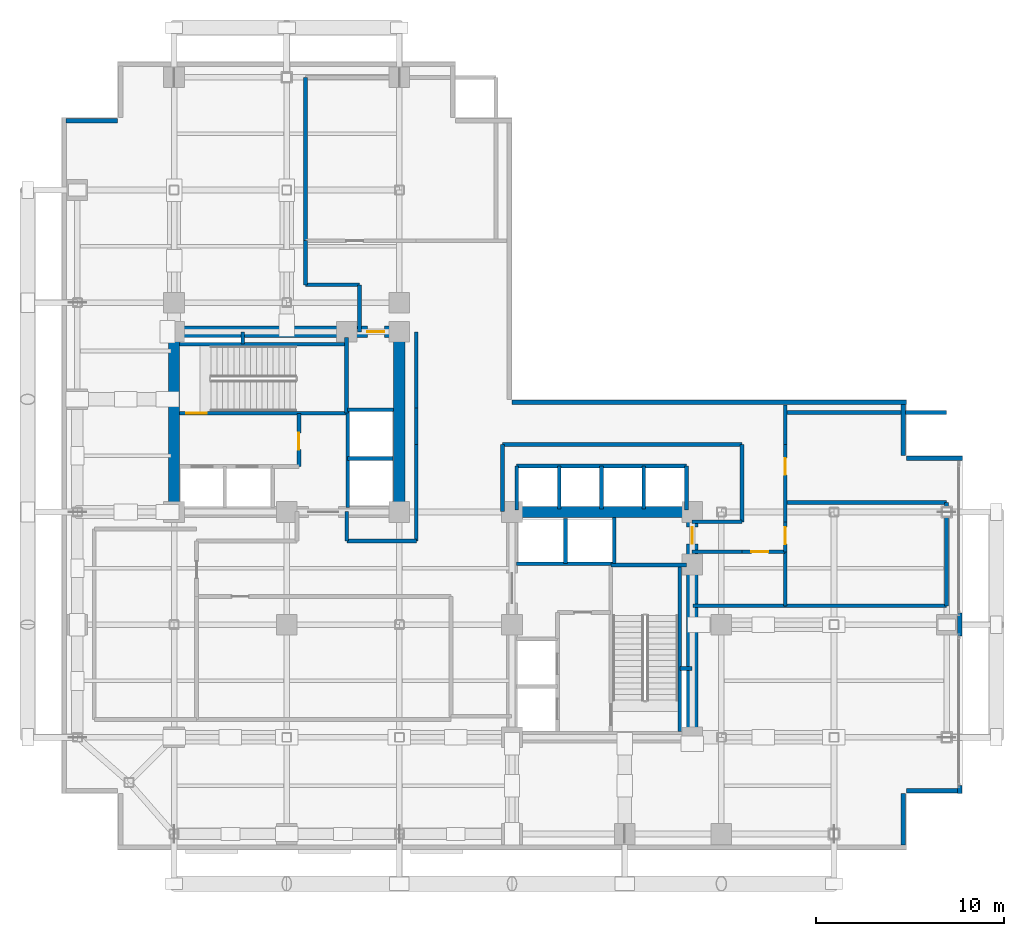
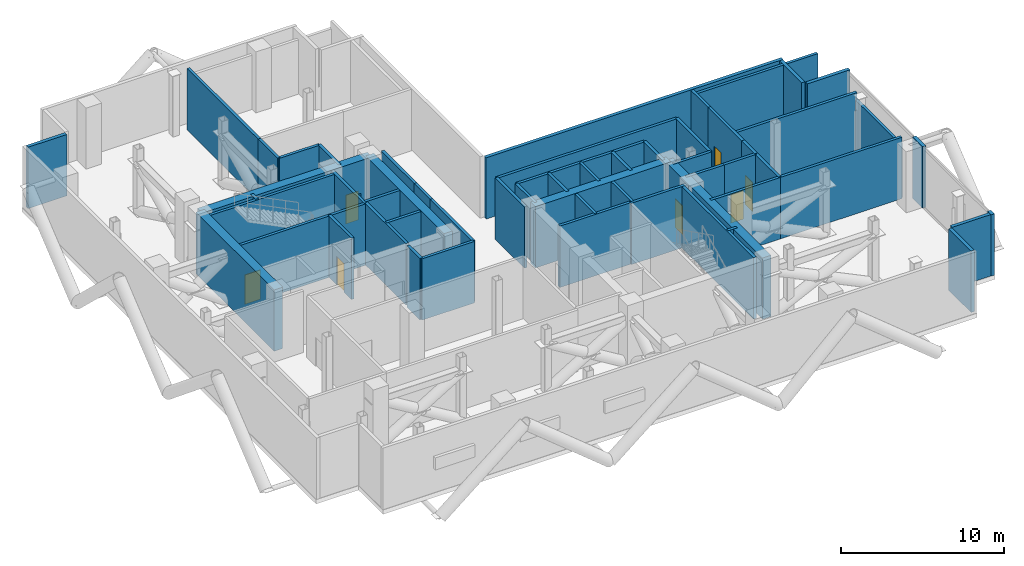
# One storey, part 7 of 9: 57 walls, 7 doors, 7 openings.
"""IFC4 building model written with IfcOpenShell, lengths in metres."""

from ifc_helpers import new_model, si_unit, direction, frame, frame_2d, origin, place, context, subcontext, project, spatial, rectangle, extrude, material, layer, layer_set, type_object, element, fill, save


model = new_model("IFC4")

# Units and contexts
model_context = context("Model", 3, precision=1e-05, world=origin(), true_north=direction((0.0, 1.0)))
body_context = subcontext(model_context, "Body", "Model", "MODEL_VIEW")
ifc_project = project(units=[si_unit("LENGTHUNIT", "METRE"), si_unit("AREAUNIT", "SQUARE_METRE"), si_unit("VOLUMEUNIT", "CUBIC_METRE"), si_unit("PLANEANGLEUNIT", "RADIAN"), si_unit("MASSUNIT", "GRAM", prefix="KILO"), si_unit("THERMODYNAMICTEMPERATUREUNIT", "KELVIN"), si_unit("POWERUNIT", "WATT")], contexts=[model_context])

# Site, building, storey
site_placement = place(None, origin())
site = spatial("IfcSite", under=ifc_project, at=site_placement, CompositionType="ELEMENT")
building_placement = place(site_placement, origin())
building = spatial("IfcBuilding", under=site, at=building_placement, Name="Svarakhadi Broadcast Tower", CompositionType="ELEMENT")
storey_placement = place(building_placement, frame((0.0, 0.0, 164.39990234375)))
storey = spatial("IfcBuildingStorey", under=building, at=storey_placement, Name="L40", CompositionType="ELEMENT", Elevation=164.39990234375)

# Walls
ifc_material_1 = material(Name="Concrete C40/50 (IS 456 M50)", Category="concrete")
ifc_layer_1 = layer(ifc_material_1, 0.239990234375)
ifc_layer_set_1 = layer_set([ifc_layer_1], Name="Concrete C40/50 (IS 456 M50)")
wall_type_1 = type_object("IfcWallType", Name="Wall_Ext_240", PredefinedType="SOLIDWALL", material=ifc_layer_set_1)
wall_1_placement = place(storey_placement, frame((0.2548828125, 38.85009765625, 0.0), z_axis=(0.0, 0.0, 1.0), x_axis=(1.0, 0.0, 0.0)))
element("IfcWall", 1, at=wall_1_placement, inside=storey, type_object=wall_type_1, Name="L40 Perimeter Bronze Spandrel Closure Wall 02", PredefinedType="SOLIDWALL", context=body_context, shape_type="SweptSolid", body=[
    extrude(rectangle(XDim=2.7451171875, YDim=0.239990234375, at=frame_2d((1.37255859375, 0.0))), origin(), (0.0, 0.0, 1.0), 4.590087890625),
])
wall_2_placement = place(storey_placement, frame((24.0, 23.85009765625, 0.0), z_axis=(0.0, 0.0, 1.0), x_axis=(1.0, 0.0, 0.0)))
element("IfcWall", 2, at=wall_2_placement, inside=storey, type_object=wall_type_1, Name="L40 Perimeter Bronze Spandrel Closure Wall 07", PredefinedType="SOLIDWALL", context=body_context, shape_type="SweptSolid", body=[
    extrude(rectangle(XDim=21.0, YDim=0.239990234375, at=frame_2d((10.5, 0.0))), origin(), (0.0, 0.0, 1.0), 4.590087890625),
])
wall_3_placement = place(storey_placement, frame((44.85009765625, 23.72509765625, 0.0), z_axis=(0.0, 0.0, 1.0), x_axis=(0.0, -1.0, 0.0)))
element("IfcWall", 3, at=wall_3_placement, inside=storey, type_object=wall_type_1, Name="L40 Perimeter Bronze Spandrel Closure Wall 08", PredefinedType="SOLIDWALL", context=body_context, shape_type="SweptSolid", body=[
    extrude(rectangle(XDim=2.72509765625, YDim=0.239990234375, at=frame_2d((1.362548828125, 0.0))), origin(), (0.0, 0.0, 1.0), 4.590087890625),
])
wall_4_placement = place(storey_placement, frame((45.0, 20.85009765625, 0.0), z_axis=(0.0, 0.0, 1.0), x_axis=(1.0, 0.0, 0.0)))
element("IfcWall", 4, at=wall_4_placement, inside=storey, type_object=wall_type_1, Name="L40 Perimeter Bronze Spandrel Closure Wall 09", PredefinedType="SOLIDWALL", context=body_context, shape_type="SweptSolid", body=[
    extrude(rectangle(XDim=3.0, YDim=0.239990234375, at=frame_2d((1.5, 0.0))), origin(), (0.0, 0.0, 1.0), 4.590087890625),
])
wall_5_placement = place(storey_placement, frame((47.85009765625, 12.614990234375, 0.0), z_axis=(0.0, 0.0, 1.0), x_axis=(0.0, -1.0, 0.0)))
element("IfcWall", 5, at=wall_5_placement, inside=storey, type_object=wall_type_1, Name="L40 Perimeter Bronze Spandrel Closure Wall 10", PredefinedType="SOLIDWALL", context=body_context, shape_type="SweptSolid", body=[
    extrude(rectangle(XDim=1.22998046875, YDim=0.239990234375, at=frame_2d((0.614990234375, 0.0))), origin(), (0.0, 0.0, 1.0), 4.590087890625),
])
wall_6_placement = place(storey_placement, frame((47.85009765625, 3.43505859375, 0.0), z_axis=(0.0, 0.0, 1.0), x_axis=(0.0, -1.0, 0.0)))
element("IfcWall", 6, at=wall_6_placement, inside=storey, type_object=wall_type_1, Name="L40 Perimeter Bronze Spandrel Closure Wall 11", PredefinedType="SOLIDWALL", context=body_context, shape_type="SweptSolid", body=[
    extrude(rectangle(XDim=0.43505859375, YDim=0.239990234375, at=frame_2d((0.217529296875, 0.0))), origin(), (0.0, 0.0, 1.0), 4.590087890625),
])
wall_7_placement = place(storey_placement, frame((47.72509765625, 3.14990234375, 0.0), z_axis=(0.0, 0.0, 1.0), x_axis=(-1.0, 0.0, 0.0)))
element("IfcWall", 7, at=wall_7_placement, inside=storey, type_object=wall_type_1, Name="L40 Perimeter Bronze Spandrel Closure Wall 12", PredefinedType="SOLIDWALL", context=body_context, shape_type="SweptSolid", body=[
    extrude(rectangle(XDim=2.72509765625, YDim=0.239990234375, at=frame_2d((1.362548828125, 0.0))), origin(), (0.0, 0.0, 1.0), 4.590087890625),
])
wall_8_placement = place(storey_placement, frame((44.85009765625, 3.0, 0.0), z_axis=(0.0, 0.0, 1.0), x_axis=(0.0, -1.0, 0.0)))
element("IfcWall", 8, at=wall_8_placement, inside=storey, type_object=wall_type_1, Name="L40 Perimeter Bronze Spandrel Closure Wall 13", PredefinedType="SOLIDWALL", context=body_context, shape_type="SweptSolid", body=[
    extrude(rectangle(XDim=2.7451171875, YDim=0.239990234375, at=frame_2d((1.37255859375, 0.0))), origin(), (0.0, 0.0, 1.0), 4.590087890625),
])
ifc_layer_2 = layer(ifc_material_1, 0.199951171875)
ifc_layer_set_2 = layer_set([ifc_layer_2], Name="Concrete C40/50 (IS 456 M50)")
wall_type_2 = type_object("IfcWallType", Name="Wall_Fire_200", PredefinedType="SOLIDWALL", material=ifc_layer_set_2)
for number, where, z_axis, x_axis, name in (
    (9, (9.659912109375, 26.93994140625, 0.0), (0.0, 0.0, 1.0), (0.0, 1.0, 0.0), "L40 Wet Riser Shaft East Wall"),
    (10, (32.93994140625, 9.659912109375, 0.0), (0.0, 0.0, 1.0), (1.0, 0.0, 0.0), "L40 HV Busduct Riser Shaft North Wall"),
):
    element("IfcWall", number, at=place(storey_placement, frame(where, z_axis=z_axis, x_axis=x_axis)), inside=storey, type_object=wall_type_2, Name=name, PredefinedType="SOLIDWALL", context=body_context, shape_type="SweptSolid", body=[
        extrude(rectangle(XDim=0.64013671875, YDim=0.199951171875, at=frame_2d((0.320068359375, 0.0))), origin(), (0.0, 0.0, 1.0), 4.590087890625),
    ])
wall_9_placement = place(storey_placement, frame((15.199951171875, 18.02001953125, 0.0), z_axis=(0.0, 0.0, 1.0), x_axis=(0.0, -1.0, 0.0)))
element("IfcWall", 11, at=wall_9_placement, inside=storey, type_object=wall_type_2, Name="L40 Plant Service Corridor Wall", PredefinedType="SOLIDWALL", context=body_context, shape_type="SweptSolid", body=[
    extrude(rectangle(XDim=1.570068359375, YDim=0.199951171875, at=frame_2d((0.78515625, 0.0))), origin(), (0.0, 0.0, 1.0), 4.590087890625),
])
wall_10_placement = place(storey_placement, frame((15.199951171875, 16.449951171875, 0.0), z_axis=(0.0, 0.0, 1.0), x_axis=(1.0, 0.0, 0.0)))
element("IfcWall", 12, at=wall_10_placement, inside=storey, type_object=wall_type_2, Name="L40 Plant Service Corridor Wall", PredefinedType="SOLIDWALL", context=body_context, shape_type="SweptSolid", body=[
    extrude(rectangle(XDim=3.699951171875, YDim=0.199951171875, at=frame_2d((1.85009765625, 0.0))), origin(), (0.0, 0.0, 1.0), 4.590087890625),
])
wall_11_placement = place(storey_placement, frame((18.89990234375, 16.449951171875, 0.0), z_axis=(0.0, 0.0, 1.0), x_axis=(0.0, 1.0, 0.0)))
element("IfcWall", 13, at=wall_11_placement, inside=storey, type_object=wall_type_2, Name="L40 Plant Service Corridor Wall", PredefinedType="SOLIDWALL", context=body_context, shape_type="SweptSolid", body=[
    extrude(rectangle(XDim=5.150146484375, YDim=0.199951171875, at=frame_2d((2.5751953125, 0.0))), origin(), (0.0, 0.0, 1.0), 4.590087890625),
])
wall_12_placement = place(storey_placement, frame((18.89990234375, 21.60009765625, 0.0), z_axis=(0.0, 0.0, 1.0), x_axis=(0.0, 1.0, 0.0)))
element("IfcWall", 14, at=wall_12_placement, inside=storey, type_object=wall_type_2, Name="L40 Plant Service Corridor Wall", PredefinedType="SOLIDWALL", context=body_context, shape_type="SweptSolid", body=[
    extrude(rectangle(XDim=1.949951171875, YDim=0.199951171875, at=frame_2d((0.97509765625, 0.0))), origin(), (0.0, 0.0, 1.0), 4.590087890625),
])
wall_13_placement = place(storey_placement, frame((18.89990234375, 23.550048828125, 0.0), z_axis=(0.0, 0.0, 1.0), x_axis=(0.0, 1.0, 0.0)))
element("IfcWall", 15, at=wall_13_placement, inside=storey, type_object=wall_type_2, Name="L40 Plant Service Corridor Wall", PredefinedType="SOLIDWALL", context=body_context, shape_type="SweptSolid", body=[
    extrude(rectangle(XDim=4.030029296875, YDim=0.199951171875, at=frame_2d((2.01513671875, 0.0))), origin(), (0.0, 0.0, 1.0), 4.590087890625),
])
wall_14_placement = place(storey_placement, frame((15.8798828125, 27.580078125, 0.0), z_axis=(0.0, 0.0, 1.0), x_axis=(0.0, 1.0, 0.0)))
element("IfcWall", 16, at=wall_14_placement, inside=storey, type_object=wall_type_2, Name="L40 Plant Service Corridor Wall", PredefinedType="SOLIDWALL", context=body_context, shape_type="SweptSolid", body=[
    extrude(rectangle(XDim=2.52001953125, YDim=0.199951171875, at=frame_2d((1.260009765625, 0.0))), origin(), (0.0, 0.0, 1.0), 4.590087890625),
])
wall_15_placement = place(storey_placement, frame((15.8798828125, 30.10009765625, 0.0), z_axis=(0.0, 0.0, 1.0), x_axis=(-1.0, 0.0, 0.0)))
element("IfcWall", 17, at=wall_15_placement, inside=storey, type_object=wall_type_2, Name="L40 Plant Service Corridor Wall", PredefinedType="SOLIDWALL", context=body_context, shape_type="SweptSolid", body=[
    extrude(rectangle(XDim=2.8798828125, YDim=0.199951171875, at=frame_2d((1.43994140625, 0.0))), origin(), (0.0, 0.0, 1.0), 4.590087890625),
])
wall_16_placement = place(storey_placement, frame((13.0, 30.10009765625, 0.0), z_axis=(0.0, 0.0, 1.0), x_axis=(0.0, 1.0, 0.0)))
element("IfcWall", 18, at=wall_16_placement, inside=storey, type_object=wall_type_2, Name="L40 Plant Service Corridor Wall", PredefinedType="SOLIDWALL", context=body_context, shape_type="SweptSolid", body=[
    extrude(rectangle(XDim=2.349853515625, YDim=0.199951171875, at=frame_2d((1.1748046875, 0.0))), origin(), (0.0, 0.0, 1.0), 4.590087890625),
])
wall_17_placement = place(storey_placement, frame((38.550048828125, 23.699951171875, 0.0), z_axis=(0.0, 0.0, 1.0), x_axis=(0.0, -1.0, 0.0)))
element("IfcWall", 19, at=wall_17_placement, inside=storey, type_object=wall_type_2, Name="L40 Plant Service Corridor Wall", PredefinedType="SOLIDWALL", context=body_context, shape_type="SweptSolid", body=[
    extrude(rectangle(XDim=2.099853515625, YDim=0.199951171875, at=frame_2d((1.0498046875, 0.0))), origin(), (0.0, 0.0, 1.0), 4.590087890625),
])

# Wall, opening, door
wall_18_placement = place(storey_placement, frame((38.550048828125, 21.60009765625, 0.0), z_axis=(0.0, 0.0, 1.0), x_axis=(0.0, -1.0, 0.0)))
wall_18 = element("IfcWall", 20, at=wall_18_placement, inside=storey, type_object=wall_type_2, Name="L40 Plant Service Corridor Wall", PredefinedType="SOLIDWALL", context=body_context, shape_type="SweptSolid", body=[
    extrude(rectangle(XDim=4.1201171875, YDim=0.199951171875, at=frame_2d((2.06005859375, 0.0))), origin(), (0.0, 0.0, 1.0), 4.590087890625),
])
opening_1_placement = place(wall_18_placement, frame((0.72509765625, 0.0, 0.0)))
opening_1 = element("IfcOpeningElement", 21, at=opening_1_placement, cuts=wall_18, Name="Opening D-04", PredefinedType="OPENING", context=body_context, shape_type="SweptSolid", body=[
    extrude(rectangle(XDim=0.89990234375, YDim=2.14990234375, at=frame_2d((0.449951171875, 1.074951171875))), frame((0.0, 0.10986328125, 0.0), z_axis=(0.0, -1.0, 0.0), x_axis=(1.0, 0.0, 0.0)), (0.0, 0.0, 1.0), 0.219970703125),
])
ifc_material_2 = material(Name="Galvanised Powder-Coated Fire-Rated Steel Leaf", Category="steel")
door_type_1 = type_object("IfcDoorType", Name="Door_Fire_D04", OperationType="SINGLE_SWING_RIGHT", PredefinedType="DOOR", material=ifc_material_2)
door_1_placement = place(opening_1_placement, origin())
door_1 = element("IfcDoor", 22, at=door_1_placement, inside=storey, type_object=door_type_1, Name="L40 Chilled Water Plate Heat Exchanger Plant Room Door", OperationType="SINGLE_SWING_RIGHT", OverallHeight=2.14990234375, OverallWidth=0.89990234375, PredefinedType="DOOR", context=body_context, shape_type="SweptSolid", body=[
    extrude(rectangle(XDim=0.89990234375, YDim=2.14990234375, at=frame_2d((0.449951171875, 1.074951171875))), frame((0.0, 0.02490234375, 0.0), z_axis=(0.0, -1.0, 0.0), x_axis=(1.0, 0.0, 0.0)), (0.0, 0.0, 1.0), 0.050048828125),
])
fill(opening_1, door_1)

wall_19_placement = place(storey_placement, frame((38.550048828125, 17.47998046875, 0.0), z_axis=(0.0, 0.0, 1.0), x_axis=(0.0, -1.0, 0.0)))
wall_19 = element("IfcWall", 23, at=wall_19_placement, inside=storey, type_object=wall_type_2, Name="L40 Plant Service Corridor Wall", PredefinedType="SOLIDWALL", context=body_context, shape_type="SweptSolid", body=[
    extrude(rectangle(XDim=1.60009765625, YDim=0.199951171875, at=frame_2d((0.800048828125, 0.0))), origin(), (0.0, 0.0, 1.0), 4.590087890625),
])
opening_2_placement = place(wall_19_placement, frame((0.2900390625, 0.0, 0.0)))
opening_2 = element("IfcOpeningElement", 24, at=opening_2_placement, cuts=wall_19, Name="Opening D-03", PredefinedType="OPENING", context=body_context, shape_type="SweptSolid", body=[
    extrude(rectangle(XDim=0.89990234375, YDim=2.14990234375, at=frame_2d((0.449951171875, 1.074951171875))), frame((0.0, 0.10986328125, 0.0), z_axis=(0.0, -1.0, 0.0), x_axis=(1.0, 0.0, 0.0)), (0.0, 0.0, 1.0), 0.219970703125),
])
door_type_2 = type_object("IfcDoorType", Name="Door_Fire_D03", OperationType="SINGLE_SWING_LEFT", PredefinedType="DOOR", material=ifc_material_2)
door_2_placement = place(opening_2_placement, origin())
door_2 = element("IfcDoor", 25, at=door_2_placement, inside=storey, type_object=door_type_2, Name="L40 Pressurised Fire Refuge Area East Door", OperationType="SINGLE_SWING_LEFT", OverallHeight=2.14990234375, OverallWidth=0.89990234375, PredefinedType="DOOR", context=body_context, shape_type="SweptSolid", body=[
    extrude(rectangle(XDim=0.89990234375, YDim=2.14990234375, at=frame_2d((0.449951171875, 1.074951171875))), frame((0.0, 0.02490234375, 0.0), z_axis=(0.0, -1.0, 0.0), x_axis=(1.0, 0.0, 0.0)), (0.0, 0.0, 1.0), 0.050048828125),
])
fill(opening_2, door_2)

wall_20_placement = place(storey_placement, frame((38.550048828125, 15.8798828125, 0.0), z_axis=(0.0, 0.0, 1.0), x_axis=(-1.0, 0.0, 0.0)))
wall_20 = element("IfcWall", 26, at=wall_20_placement, inside=storey, type_object=wall_type_2, Name="L40 Plant Service Corridor Wall", PredefinedType="SOLIDWALL", context=body_context, shape_type="SweptSolid", body=[
    extrude(rectangle(XDim=2.300048828125, YDim=0.199951171875, at=frame_2d((1.14990234375, 0.0))), origin(), (0.0, 0.0, 1.0), 4.590087890625),
])
opening_3_placement = place(wall_20_placement, frame((0.89990234375, 0.0, 0.0)))
opening_3 = element("IfcOpeningElement", 27, at=opening_3_placement, cuts=wall_20, Name="Opening D-04", PredefinedType="OPENING", context=body_context, shape_type="SweptSolid", body=[
    extrude(rectangle(XDim=0.89990234375, YDim=2.14990234375, at=frame_2d((0.449951171875, 1.074951171875))), frame((0.0, 0.10986328125, 0.0), z_axis=(0.0, -1.0, 0.0), x_axis=(1.0, 0.0, 0.0)), (0.0, 0.0, 1.0), 0.219970703125),
])
door_3_placement = place(opening_3_placement, origin())
door_3 = element("IfcDoor", 28, at=door_3_placement, inside=storey, type_object=door_type_1, Name="L40 Stairwell Pressurisation Fan Plant Room Door", OperationType="SINGLE_SWING_RIGHT", OverallHeight=2.14990234375, OverallWidth=0.89990234375, PredefinedType="DOOR", context=body_context, shape_type="SweptSolid", body=[
    extrude(rectangle(XDim=0.89990234375, YDim=2.14990234375, at=frame_2d((0.449951171875, 1.074951171875))), frame((0.0, 0.02490234375, 0.0), z_axis=(0.0, -1.0, 0.0), x_axis=(1.0, 0.0, 0.0)), (0.0, 0.0, 1.0), 0.050048828125),
])
fill(opening_3, door_3)

# Walls
for number, where, z_axis, x_axis, name in (
    (29, (36.25, 15.8798828125, 0.0), (0.0, 0.0, 1.0), (-1.0, 0.0, 0.0), "L40 Plant Service Corridor Wall"),
    (30, (33.580078125, 17.47998046875, 0.0), (0.0, 0.0, 1.0), (1.0, 0.0, 0.0), "L40 Plant Service Corridor Wall"),
):
    element("IfcWall", number, at=place(storey_placement, frame(where, z_axis=z_axis, x_axis=x_axis)), inside=storey, type_object=wall_type_2, Name=name, PredefinedType="SOLIDWALL", context=body_context, shape_type="SweptSolid", body=[
        extrude(rectangle(XDim=2.669921875, YDim=0.199951171875, at=frame_2d((1.3349609375, 0.0))), origin(), (0.0, 0.0, 1.0), 4.590087890625),
    ])
wall_21_placement = place(storey_placement, frame((36.25, 17.47998046875, 0.0), z_axis=(0.0, 0.0, 1.0), x_axis=(0.0, 1.0, 0.0)))
element("IfcWall", 31, at=wall_21_placement, inside=storey, type_object=wall_type_2, Name="L40 Plant Service Corridor Wall", PredefinedType="SOLIDWALL", context=body_context, shape_type="SweptSolid", body=[
    extrude(rectangle(XDim=4.1201171875, YDim=0.199951171875, at=frame_2d((2.06005859375, 0.0))), origin(), (0.0, 0.0, 1.0), 4.590087890625),
])
wall_22_placement = place(storey_placement, frame((36.25, 21.60009765625, 0.0), z_axis=(0.0, 0.0, 1.0), x_axis=(-1.0, 0.0, 0.0)))
element("IfcWall", 32, at=wall_22_placement, inside=storey, type_object=wall_type_2, Name="L40 Plant Service Corridor Wall", PredefinedType="SOLIDWALL", context=body_context, shape_type="SweptSolid", body=[
    extrude(rectangle(XDim=12.75, YDim=0.199951171875, at=frame_2d((6.375, 0.0))), origin(), (0.0, 0.0, 1.0), 4.590087890625),
])
wall_23_placement = place(storey_placement, frame((23.5, 21.60009765625, 0.0), z_axis=(0.0, 0.0, 1.0), x_axis=(0.0, -1.0, 0.0)))
element("IfcWall", 33, at=wall_23_placement, inside=storey, type_object=wall_type_2, Name="L40 Plant Service Corridor Wall", PredefinedType="SOLIDWALL", context=body_context, shape_type="SweptSolid", body=[
    extrude(rectangle(XDim=3.580078125, YDim=0.199951171875, at=frame_2d((1.7900390625, 0.0))), origin(), (0.0, 0.0, 1.0), 4.590087890625),
])
for number, where, z_axis, x_axis, name in (
    (34, (38.550048828125, 13.0, 0.0), (0.0, 0.0, 1.0), (1.0, 0.0, 0.0), "L40 Pressurised Fire Refuge Area East Wall"),
    (35, (38.550048828125, 18.5, 0.0), (0.0, 0.0, 1.0), (1.0, 0.0, 0.0), "L40 Pressurised Fire Refuge Area East Wall"),
):
    element("IfcWall", number, at=place(storey_placement, frame(where, z_axis=z_axis, x_axis=x_axis)), inside=storey, type_object=wall_type_2, Name=name, PredefinedType="SOLIDWALL", context=body_context, shape_type="SweptSolid", body=[
        extrude(rectangle(XDim=8.599853515625, YDim=0.199951171875, at=frame_2d((4.2998046875, 0.0))), origin(), (0.0, 0.0, 1.0), 4.590087890625),
    ])
wall_24_placement = place(storey_placement, frame((47.14990234375, 13.0, 0.0), z_axis=(0.0, 0.0, 1.0), x_axis=(0.0, 1.0, 0.0)))
element("IfcWall", 36, at=wall_24_placement, inside=storey, type_object=wall_type_2, Name="L40 Pressurised Fire Refuge Area East Wall", PredefinedType="SOLIDWALL", context=body_context, shape_type="SweptSolid", body=[
    extrude(rectangle(XDim=5.5, YDim=0.199951171875, at=frame_2d((2.75, 0.0))), origin(), (0.0, 0.0, 1.0), 4.052001953125),
])
wall_25_placement = place(storey_placement, frame((13.0, 32.449951171875, 0.0), z_axis=(0.0, 0.0, 1.0), x_axis=(0.0, 1.0, 0.0)))
element("IfcWall", 37, at=wall_25_placement, inside=storey, type_object=wall_type_2, Name="L40 Pressurised Fire Refuge Area North Wall", PredefinedType="SOLIDWALL", context=body_context, shape_type="SweptSolid", body=[
    extrude(rectangle(XDim=8.699951171875, YDim=0.199951171875, at=frame_2d((4.35009765625, 0.0))), origin(), (0.0, 0.0, 1.0), 4.590087890625),
])
wall_26_placement = place(storey_placement, frame((38.550048828125, 23.300048828125, 0.0), z_axis=(0.0, 0.0, 1.0), x_axis=(1.0, 0.0, 0.0)))
element("IfcWall", 38, at=wall_26_placement, inside=storey, type_object=wall_type_2, Name="L40 Chilled Water Plate Heat Exchanger Plant Room Wall", PredefinedType="SOLIDWALL", context=body_context, shape_type="SweptSolid", body=[
    extrude(rectangle(XDim=8.599853515625, YDim=0.199951171875, at=frame_2d((4.2998046875, 0.0))), origin(), (0.0, 0.0, 1.0), 4.590087890625),
])
wall_27_placement = place(storey_placement, frame((33.64990234375, 13.0, 0.0), z_axis=(0.0, 0.0, 1.0), x_axis=(1.0, 0.0, 0.0)))
element("IfcWall", 39, at=wall_27_placement, inside=storey, type_object=wall_type_2, Name="L40 Stairwell Pressurisation Fan Plant Room Wall", PredefinedType="SOLIDWALL", context=body_context, shape_type="SweptSolid", body=[
    extrude(rectangle(XDim=4.900146484375, YDim=0.199951171875, at=frame_2d((2.4501953125, 0.0))), origin(), (0.0, 0.0, 1.0), 4.590087890625),
])
wall_28_placement = place(storey_placement, frame((38.550048828125, 13.0, 0.0), z_axis=(0.0, 0.0, 1.0), x_axis=(0.0, 1.0, 0.0)))
element("IfcWall", 40, at=wall_28_placement, inside=storey, type_object=wall_type_2, Name="L40 Stairwell Pressurisation Fan Plant Room Wall", PredefinedType="SOLIDWALL", context=body_context, shape_type="SweptSolid", body=[
    extrude(rectangle(XDim=2.8798828125, YDim=0.199951171875, at=frame_2d((1.43994140625, 0.0))), origin(), (0.0, 0.0, 1.0), 4.590087890625),
])

# Wall, opening, door
ifc_material_3 = material(Name="Concrete C50/60 (IS 456 M60)", Category="concrete")
ifc_layer_3 = layer(ifc_material_3, 0.199951171875)
ifc_layer_set_3 = layer_set([ifc_layer_3], Name="Concrete C50/60 (IS 456 M60)")
wall_type_3 = type_object("IfcWallType", Name="Wall_Shear_200", PredefinedType="SHEAR", material=ifc_layer_set_3)
wall_29_placement = place(storey_placement, frame((6.300048828125, 23.260009765625, 0.0), z_axis=(0.0, 0.0, 1.0), x_axis=(1.0, 0.0, 0.0)))
wall_29 = element("IfcWall", 41, at=wall_29_placement, inside=storey, type_object=wall_type_3, Name="L40 Stair ST-01 South RC Shaft Wall", PredefinedType="SHEAR", context=body_context, shape_type="SweptSolid", body=[
    extrude(rectangle(XDim=8.8798828125, YDim=0.199951171875, at=frame_2d((4.43994140625, 0.0))), origin(), (0.0, 0.0, 1.0), 4.590087890625),
])
opening_4_placement = place(wall_29_placement, frame((0.35009765625, 0.0, 0.0)))
opening_4 = element("IfcOpeningElement", 42, at=opening_4_placement, cuts=wall_29, Name="Opening D-01", PredefinedType="OPENING", context=body_context, shape_type="SweptSolid", body=[
    extrude(rectangle(XDim=1.10009765625, YDim=2.199951171875, at=frame_2d((0.550048828125, 1.10009765625))), frame((0.0, 0.10986328125, 0.0), z_axis=(0.0, -1.0, 0.0), x_axis=(1.0, 0.0, 0.0)), (0.0, 0.0, 1.0), 0.219970703125),
])
door_type_3 = type_object("IfcDoorType", Name="Door_Stair_D01", OperationType="SINGLE_SWING_LEFT", PredefinedType="DOOR", material=ifc_material_2)
door_4_placement = place(opening_4_placement, origin())
door_4 = element("IfcDoor", 43, at=door_4_placement, inside=storey, type_object=door_type_3, Name="L40 Protected Exit Stair ST-01 Fire Door", OperationType="SINGLE_SWING_LEFT", OverallHeight=2.199951171875, OverallWidth=1.10009765625, PredefinedType="DOOR", context=body_context, shape_type="SweptSolid", body=[
    extrude(rectangle(XDim=1.10009765625, YDim=2.199951171875, at=frame_2d((0.550048828125, 1.10009765625))), frame((0.0, 0.02490234375, 0.0), z_axis=(0.0, -1.0, 0.0), x_axis=(1.0, 0.0, 0.0)), (0.0, 0.0, 1.0), 0.050048828125),
])
fill(opening_4, door_4)

# Walls
wall_30_placement = place(storey_placement, frame((6.300048828125, 26.93994140625, 0.0), z_axis=(0.0, 0.0, 1.0), x_axis=(1.0, 0.0, 0.0)))
element("IfcWall", 44, at=wall_30_placement, inside=storey, type_object=wall_type_3, Name="L40 Stair ST-01 North RC Shaft Wall", PredefinedType="SHEAR", context=body_context, shape_type="SweptSolid", body=[
    extrude(rectangle(XDim=8.8798828125, YDim=0.199951171875, at=frame_2d((4.43994140625, 0.0))), origin(), (0.0, 0.0, 1.0), 4.590087890625),
])
wall_31_placement = place(storey_placement, frame((15.179931640625, 23.260009765625, 0.0), z_axis=(0.0, 0.0, 1.0), x_axis=(0.0, 1.0, 0.0)))
element("IfcWall", 45, at=wall_31_placement, inside=storey, type_object=wall_type_3, Name="L40 Stair ST-01 East RC Shaft Wall", PredefinedType="SHEAR", context=body_context, shape_type="SweptSolid", body=[
    extrude(rectangle(XDim=4.0400390625, YDim=0.199951171875, at=frame_2d((2.02001953125, 0.0))), origin(), (0.0, 0.0, 1.0), 4.590087890625),
])
wall_32_placement = place(storey_placement, frame((32.93994140625, 6.300048828125, 0.0), z_axis=(0.0, 0.0, 1.0), x_axis=(0.0, 1.0, 0.0)))
element("IfcWall", 46, at=wall_32_placement, inside=storey, type_object=wall_type_3, Name="L40 Stair ST-02 East RC Shaft Wall", PredefinedType="SHEAR", context=body_context, shape_type="SweptSolid", body=[
    extrude(rectangle(XDim=8.8798828125, YDim=0.199951171875, at=frame_2d((4.43994140625, 0.0))), origin(), (0.0, 0.0, 1.0), 4.590087890625),
])
wall_33_placement = place(storey_placement, frame((29.260009765625, 15.179931640625, 0.0), z_axis=(0.0, 0.0, 1.0), x_axis=(1.0, 0.0, 0.0)))
element("IfcWall", 47, at=wall_33_placement, inside=storey, type_object=wall_type_3, Name="L40 Stair ST-02 North RC Shaft Wall", PredefinedType="SHEAR", context=body_context, shape_type="SweptSolid", body=[
    extrude(rectangle(XDim=4.0400390625, YDim=0.199951171875, at=frame_2d((2.02001953125, 0.0))), origin(), (0.0, 0.0, 1.0), 4.590087890625),
])

# Wall, opening, door
wall_34_placement = place(storey_placement, frame((12.64990234375, 20.419921875, 0.0), z_axis=(0.0, 0.0, 1.0), x_axis=(0.0, 1.0, 0.0)))
wall_34 = element("IfcWall", 48, at=wall_34_placement, inside=storey, type_object=wall_type_3, Name="L40 West Firefighting Lobby East Wall", PredefinedType="SHEAR", context=body_context, shape_type="SweptSolid", body=[
    extrude(rectangle(XDim=2.840087890625, YDim=0.199951171875, at=frame_2d((1.419921875, 0.0))), origin(), (0.0, 0.0, 1.0), 4.590087890625),
])
opening_5_placement = place(wall_34_placement, frame((0.89990234375, 0.0, 0.0)))
opening_5 = element("IfcOpeningElement", 49, at=opening_5_placement, cuts=wall_34, Name="Opening D-03", PredefinedType="OPENING", context=body_context, shape_type="SweptSolid", body=[
    extrude(rectangle(XDim=0.89990234375, YDim=2.14990234375, at=frame_2d((0.449951171875, 1.074951171875))), frame((0.0, 0.10986328125, 0.0), z_axis=(0.0, -1.0, 0.0), x_axis=(1.0, 0.0, 0.0)), (0.0, 0.0, 1.0), 0.219970703125),
])
door_5_placement = place(opening_5_placement, origin())
door_5 = element("IfcDoor", 50, at=door_5_placement, inside=storey, type_object=door_type_2, Name="L40 West Firefighting Lobby Fire Door", OperationType="SINGLE_SWING_LEFT", OverallHeight=2.14990234375, OverallWidth=0.89990234375, PredefinedType="DOOR", context=body_context, shape_type="SweptSolid", body=[
    extrude(rectangle(XDim=0.89990234375, YDim=2.14990234375, at=frame_2d((0.449951171875, 1.074951171875))), frame((0.0, 0.02490234375, 0.0), z_axis=(0.0, -1.0, 0.0), x_axis=(1.0, 0.0, 0.0)), (0.0, 0.0, 1.0), 0.050048828125),
])
fill(opening_5, door_5)

# Walls
wall_35_placement = place(storey_placement, frame((15.25, 18.25, 0.0), z_axis=(0.0, 0.0, 1.0), x_axis=(0.0, 1.0, 0.0)))
element("IfcWall", 51, at=wall_35_placement, inside=storey, type_object=wall_type_3, Name="L40 High-Rise Lift LF-13/14 West Shaft Wall", PredefinedType="SHEAR", context=body_context, shape_type="SweptSolid", body=[
    extrude(rectangle(XDim=5.199951171875, YDim=0.199951171875, at=frame_2d((2.60009765625, 0.0))), origin(), (0.0, 0.0, 1.0), 4.590087890625),
])
wall_36_placement = place(storey_placement, frame((15.25, 20.85009765625, 0.0), z_axis=(0.0, 0.0, 1.0), x_axis=(1.0, 0.0, 0.0)))
element("IfcWall", 52, at=wall_36_placement, inside=storey, type_object=wall_type_3, Name="L40 High-Rise Lift LF-13/14 Divider", PredefinedType="SHEAR", context=body_context, shape_type="SweptSolid", body=[
    extrude(rectangle(XDim=2.39990234375, YDim=0.199951171875, at=frame_2d((1.199951171875, 0.0))), origin(), (0.0, 0.0, 1.0), 4.590087890625),
])
wall_37_placement = place(storey_placement, frame((15.25, 23.449951171875, 0.0), z_axis=(0.0, 0.0, 1.0), x_axis=(1.0, 0.0, 0.0)))
element("IfcWall", 53, at=wall_37_placement, inside=storey, type_object=wall_type_3, Name="L40 High-Rise Lift LF-13/14 North Wall", PredefinedType="SHEAR", context=body_context, shape_type="SweptSolid", body=[
    extrude(rectangle(XDim=2.449951171875, YDim=0.199951171875, at=frame_2d((1.22509765625, 0.0))), origin(), (0.0, 0.0, 1.0), 4.590087890625),
])
wall_38_placement = place(storey_placement, frame((24.25, 15.25, 0.0), z_axis=(0.0, 0.0, 1.0), x_axis=(1.0, 0.0, 0.0)))
element("IfcWall", 54, at=wall_38_placement, inside=storey, type_object=wall_type_3, Name="L40 High-Rise Lift LF-15/16 South Shaft Wall", PredefinedType="SHEAR", context=body_context, shape_type="SweptSolid", body=[
    extrude(rectangle(XDim=5.199951171875, YDim=0.199951171875, at=frame_2d((2.60009765625, 0.0))), origin(), (0.0, 0.0, 1.0), 4.590087890625),
])
wall_39_placement = place(storey_placement, frame((26.85009765625, 15.25, 0.0), z_axis=(0.0, 0.0, 1.0), x_axis=(0.0, 1.0, 0.0)))
element("IfcWall", 55, at=wall_39_placement, inside=storey, type_object=wall_type_3, Name="L40 High-Rise Lift LF-15/16 Divider", PredefinedType="SHEAR", context=body_context, shape_type="SweptSolid", body=[
    extrude(rectangle(XDim=2.39990234375, YDim=0.199951171875, at=frame_2d((1.199951171875, 0.0))), origin(), (0.0, 0.0, 1.0), 4.590087890625),
])
wall_40_placement = place(storey_placement, frame((29.449951171875, 15.25, 0.0), z_axis=(0.0, 0.0, 1.0), x_axis=(0.0, 1.0, 0.0)))
element("IfcWall", 56, at=wall_40_placement, inside=storey, type_object=wall_type_3, Name="L40 High-Rise Lift LF-15/16 East Wall", PredefinedType="SHEAR", context=body_context, shape_type="SweptSolid", body=[
    extrude(rectangle(XDim=2.449951171875, YDim=0.199951171875, at=frame_2d((1.22509765625, 0.0))), origin(), (0.0, 0.0, 1.0), 4.590087890625),
])
for number, where, z_axis, x_axis, name in (
    (57, (33.300048828125, 18.10009765625, 0.0), (0.0, 0.0, 1.0), (0.0, 1.0, 0.0), "L40 Bank B East Shaft Wall"),
    (58, (24.25, 18.10009765625, 0.0), (0.0, 0.0, 1.0), (0.0, 1.0, 0.0), "L40 Bank B West Shaft Wall"),
):
    element("IfcWall", number, at=place(storey_placement, frame(where, z_axis=z_axis, x_axis=x_axis)), inside=storey, type_object=wall_type_3, Name=name, PredefinedType="SHEAR", context=body_context, shape_type="SweptSolid", body=[
        extrude(rectangle(XDim=2.349853515625, YDim=0.199951171875, at=frame_2d((1.1748046875, 0.0))), origin(), (0.0, 0.0, 1.0), 4.590087890625),
    ])
wall_41_placement = place(storey_placement, frame((24.25, 20.449951171875, 0.0), z_axis=(0.0, 0.0, 1.0), x_axis=(1.0, 0.0, 0.0)))
element("IfcWall", 59, at=wall_41_placement, inside=storey, type_object=wall_type_3, Name="L40 Bank B North Landing Wall", PredefinedType="SHEAR", context=body_context, shape_type="SweptSolid", body=[
    extrude(rectangle(XDim=9.050048828125, YDim=0.199951171875, at=frame_2d((4.52490234375, 0.0))), origin(), (0.0, 0.0, 1.0), 4.590087890625),
])
for number, where, z_axis, x_axis, name in (
    (60, (26.52001953125, 18.14990234375, 0.0), (0.0, 0.0, 1.0), (0.0, 1.0, 0.0), "L40 Bank B Divider"),
    (61, (28.77001953125, 18.14990234375, 0.0), (0.0, 0.0, 1.0), (0.0, 1.0, 0.0), "L40 Bank B Divider"),
    (62, (31.02001953125, 18.14990234375, 0.0), (0.0, 0.0, 1.0), (0.0, 1.0, 0.0), "L40 Bank B Divider"),
):
    element("IfcWall", number, at=place(storey_placement, frame(where, z_axis=z_axis, x_axis=x_axis)), inside=storey, type_object=wall_type_3, Name=name, PredefinedType="SHEAR", context=body_context, shape_type="SweptSolid", body=[
        extrude(rectangle(XDim=2.300048828125, YDim=0.199951171875, at=frame_2d((1.14990234375, 0.0))), origin(), (0.0, 0.0, 1.0), 4.590087890625),
    ])

# Wall, opening, door
ifc_material_4 = material(Name="Concrete C60/75 (IS 456 M70)", Category="concrete")
ifc_layer_4 = layer(ifc_material_4, 0.60009765625)
ifc_layer_set_4 = layer_set([ifc_layer_4], Name="Concrete C60/75 (IS 456 M70)")
wall_type_4 = type_object("IfcWallType", Name="Wall_Shear_600", PredefinedType="SHEAR", material=ifc_layer_set_4)
wall_42_placement = place(storey_placement, frame((6.0, 27.60009765625, 0.0), z_axis=(0.0, 0.0, 1.0), x_axis=(1.0, 0.0, 0.0)))
wall_42 = element("IfcWall", 63, at=wall_42_placement, inside=storey, type_object=wall_type_4, Name="L40 West Core North Shear Wall", PredefinedType="SHEAR", context=body_context, shape_type="SweptSolid", body=[
    extrude(rectangle(XDim=12.0, YDim=0.60009765625, at=frame_2d((6.0, 0.0))), origin(), (0.0, 0.0, 1.0), 4.590087890625),
])
opening_6_placement = place(wall_42_placement, frame((10.300048828125, 0.0, 0.0)))
opening_6 = element("IfcOpeningElement", 64, at=opening_6_placement, cuts=wall_42, Name="Opening D-03", PredefinedType="OPENING", context=body_context, shape_type="SweptSolid", body=[
    extrude(rectangle(XDim=0.89990234375, YDim=2.14990234375, at=frame_2d((0.449951171875, 1.074951171875))), frame((0.0, 0.31005859375, 0.0), z_axis=(0.0, -1.0, 0.0), x_axis=(1.0, 0.0, 0.0)), (0.0, 0.0, 1.0), 0.6201171875),
])
door_6_placement = place(opening_6_placement, origin())
door_6 = element("IfcDoor", 65, at=door_6_placement, inside=storey, type_object=door_type_2, Name="L40 Core Service Room West Door", OperationType="SINGLE_SWING_LEFT", OverallHeight=2.14990234375, OverallWidth=0.89990234375, PredefinedType="DOOR", context=body_context, shape_type="SweptSolid", body=[
    extrude(rectangle(XDim=0.89990234375, YDim=2.14990234375, at=frame_2d((0.449951171875, 1.074951171875))), frame((0.0, 0.02490234375, 0.0), z_axis=(0.0, -1.0, 0.0), x_axis=(1.0, 0.0, 0.0)), (0.0, 0.0, 1.0), 0.050048828125),
])
fill(opening_6, door_6)

# Walls
for number, where, z_axis, x_axis, name in (
    (66, (6.0, 18.0, 0.0), (0.0, 0.0, 1.0), (0.0, 1.0, 0.0), "L40 West Core West Shear Wall"),
    (67, (18.0, 18.0, 0.0), (0.0, 0.0, 1.0), (0.0, 1.0, 0.0), "L40 West Core East Shear Wall"),
    (68, (24.0, 18.0, 0.0), (0.0, 0.0, 1.0), (1.0, 0.0, 0.0), "L40 East Core North Shear Wall"),
):
    element("IfcWall", number, at=place(storey_placement, frame(where, z_axis=z_axis, x_axis=x_axis)), inside=storey, type_object=wall_type_4, Name=name, PredefinedType="SHEAR", context=body_context, shape_type="SweptSolid", body=[
        extrude(rectangle(XDim=9.60009765625, YDim=0.60009765625, at=frame_2d((4.800048828125, 0.0))), origin(), (0.0, 0.0, 1.0), 4.590087890625),
    ])

# Wall, opening, door
wall_43_placement = place(storey_placement, frame((33.60009765625, 6.0, 0.0), z_axis=(0.0, 0.0, 1.0), x_axis=(0.0, 1.0, 0.0)))
wall_43 = element("IfcWall", 69, at=wall_43_placement, inside=storey, type_object=wall_type_4, Name="L40 East Core East Shear Wall", PredefinedType="SHEAR", context=body_context, shape_type="SweptSolid", body=[
    extrude(rectangle(XDim=12.0, YDim=0.60009765625, at=frame_2d((6.0, 0.0))), origin(), (0.0, 0.0, 1.0), 4.590087890625),
])
opening_7_placement = place(wall_43_placement, frame((10.300048828125, 0.0, 0.0)))
opening_7 = element("IfcOpeningElement", 70, at=opening_7_placement, cuts=wall_43, Name="Opening D-03", PredefinedType="OPENING", context=body_context, shape_type="SweptSolid", body=[
    extrude(rectangle(XDim=0.89990234375, YDim=2.14990234375, at=frame_2d((0.449951171875, 1.074951171875))), frame((0.0, 0.31005859375, 0.0), z_axis=(0.0, -1.0, 0.0), x_axis=(1.0, 0.0, 0.0)), (0.0, 0.0, 1.0), 0.6201171875),
])
door_7_placement = place(opening_7_placement, origin())
door_7 = element("IfcDoor", 71, at=door_7_placement, inside=storey, type_object=door_type_2, Name="L40 Core Service Room East Door", OperationType="SINGLE_SWING_LEFT", OverallHeight=2.14990234375, OverallWidth=0.89990234375, PredefinedType="DOOR", context=body_context, shape_type="SweptSolid", body=[
    extrude(rectangle(XDim=0.89990234375, YDim=2.14990234375, at=frame_2d((0.449951171875, 1.074951171875))), frame((0.0, 0.02490234375, 0.0), z_axis=(0.0, -1.0, 0.0), x_axis=(1.0, 0.0, 0.0)), (0.0, 0.0, 1.0), 0.050048828125),
])
fill(opening_7, door_7)

save(model, "model.ifc")
